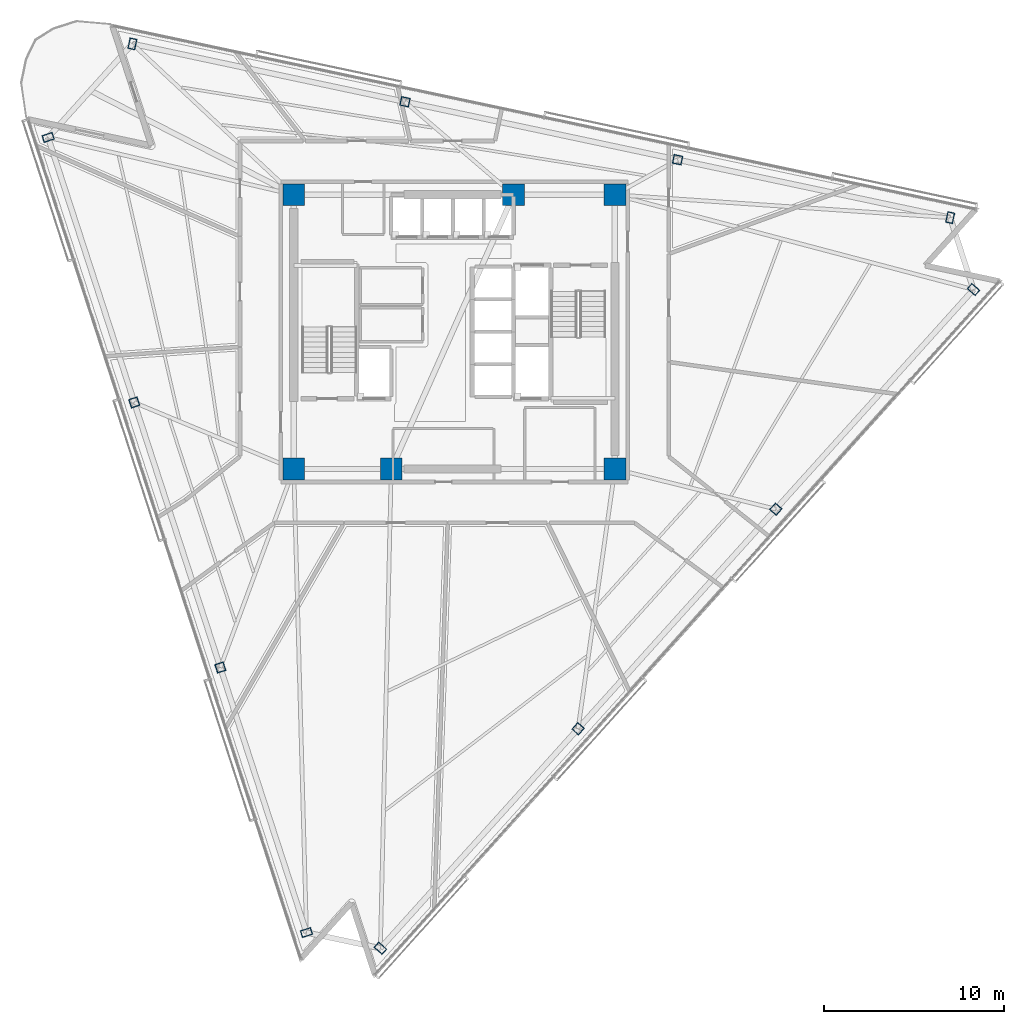
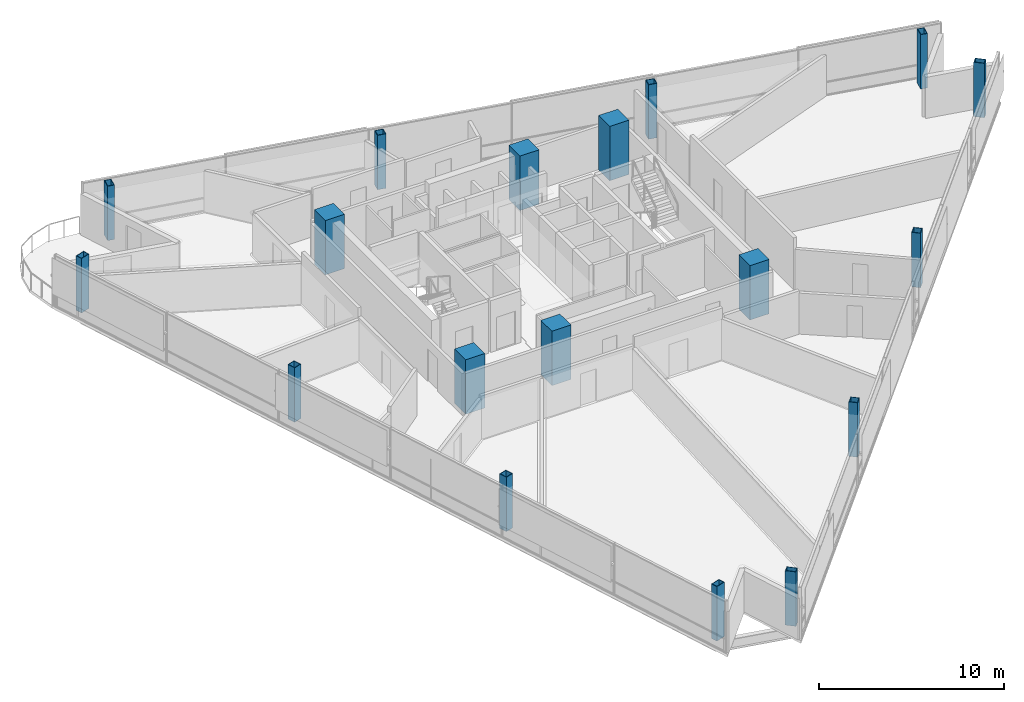
# One storey, part 1 of 17: 18 columns.
"""IFC4 building model written with IfcOpenShell, lengths in metres."""

from ifc_helpers import new_model, si_unit, direction, frame, origin, origin_2d, place, context, subcontext, project, spatial, rectangle, hollow_rectangle, extrude, material, material_profile, profile_set, type_object, element, save


model = new_model("IFC4")

# Units and contexts
model_context = context("Model", 3, precision=1e-05, world=origin(), true_north=direction((0.0, 1.0)))
body_context = subcontext(model_context, "Body", "Model", "MODEL_VIEW")
ifc_project = project(units=[si_unit("LENGTHUNIT", "METRE"), si_unit("AREAUNIT", "SQUARE_METRE"), si_unit("VOLUMEUNIT", "CUBIC_METRE"), si_unit("PLANEANGLEUNIT", "RADIAN"), si_unit("MASSUNIT", "GRAM", prefix="KILO")], contexts=[model_context])

# Site, building, storey
site_placement = place(None, origin())
site = spatial("IfcSite", under=ifc_project, at=site_placement, CompositionType="ELEMENT")
building_placement = place(site_placement, origin())
building = spatial("IfcBuilding", under=site, at=building_placement, Name="Tharavind Bronze Gate", CompositionType="ELEMENT")
storey_placement = place(building_placement, frame((0.0, 0.0, 214.85009765625)))
storey = spatial("IfcBuildingStorey", under=building, at=storey_placement, Name="L55", CompositionType="ELEMENT", Elevation=214.85009765625)

# Columns
ifc_material_1 = material(Name="Steel S460", Category="steel")
ifc_material_profile_1 = material_profile(ifc_material_1, hollow_rectangle(XDim=0.39990234375, YDim=0.60009765625, WallThickness=0.030029296875, at=origin_2d()), Name="RHS600X400X30")
ifc_profile_set_1 = profile_set([ifc_material_profile_1], Name="Steel S460")
column_type_1 = type_object("IfcColumnType", Name="CORNER NOTCH COLUMN RHS600X400", PredefinedType="COLUMN", material=ifc_profile_set_1)
for number, where, z_axis, x_axis, name in (
    (1, (-22.515380859375, 10.77685546875, 0.0), (0.0, 0.0, 1.0), (-0.309016994375, 0.951056516295, 0.0), "L55 perimeter column S1C1"),
    (2, (-8.197021484375, -33.29150390625, 0.0), (0.0, 0.0, 1.0), (-0.309016994375, 0.951056516295, 0.0), "L55 perimeter column S1C4"),
    (3, (-4.100341796875, -34.162353515625, 0.0), (0.0, 0.0, 1.0), (0.669130606359, 0.743144825477, 0.0), "L55 perimeter column S2C1"),
    (4, (28.772705078125, 2.34716796875, 0.0), (0.0, 0.0, 1.0), (0.669130606359, 0.743144825477, 0.0), "L55 perimeter column S2C4"),
    (5, (27.478515625, 6.330078125, 0.0), (0.0, 0.0, 1.0), (-0.978147600734, 0.207911690818, 0.0), "L55 perimeter column S3C1"),
    (6, (-17.844970703125, 15.9638671875, 0.0), (0.0, 0.0, 1.0), (-0.978147600734, 0.207911690818, 0.0), "L55 perimeter column S3C4"),
):
    element("IfcColumn", number, at=place(storey_placement, frame(where, z_axis=z_axis, x_axis=x_axis)), inside=storey, type_object=column_type_1, Name=name, PredefinedType="COLUMN", context=body_context, shape_type="SweptSolid", body=[
        extrude(hollow_rectangle(XDim=0.39990234375, YDim=0.60009765625, WallThickness=0.030029296875, at=origin_2d()), origin(), (0.0, 0.0, 1.0), 3.599853515625),
    ])
ifc_material_2 = material(Name="Concrete C60/75", Category="concrete")
ifc_material_profile_2 = material_profile(ifc_material_2, rectangle(XDim=1.199951171875, YDim=1.199951171875, at=origin_2d()), Name="RCCOL1200")
ifc_profile_set_2 = profile_set([ifc_material_profile_2], Name="Concrete C60/75")
column_type_2 = type_object("IfcColumnType", Name="MEGA CORE COLUMN 1200", PredefinedType="COLUMN", material=ifc_profile_set_2)
for number, where, z_axis, x_axis, name in (
    (7, (-8.89990234375, -7.60009765625, 0.0), (0.0, 0.0, 1.0), (1.0, 0.0, 0.0), "L55 core mega column MC1"),
    (8, (-3.5, -7.60009765625, 0.0), (0.0, 0.0, 1.0), (1.0, 0.0, 0.0), "L55 core mega column MC2"),
    (9, (8.89990234375, -7.60009765625, 0.0), (0.0, 0.0, 1.0), (1.0, 0.0, 0.0), "L55 core mega column MC3"),
    (10, (8.89990234375, 7.60009765625, 0.0), (0.0, 0.0, 1.0), (1.0, 0.0, 0.0), "L55 core mega column MC4"),
    (11, (3.280029296875, 7.60009765625, 0.0), (0.0, 0.0, 1.0), (1.0, 0.0, 0.0), "L55 core mega column MC5"),
    (12, (-8.89990234375, 7.60009765625, 0.0), (0.0, 0.0, 1.0), (1.0, 0.0, 0.0), "L55 core mega column MC6"),
):
    element("IfcColumn", number, at=place(storey_placement, frame(where, z_axis=z_axis, x_axis=x_axis)), inside=storey, type_object=column_type_2, Name=name, PredefinedType="COLUMN", context=body_context, shape_type="SweptSolid", body=[
        extrude(rectangle(XDim=1.199951171875, YDim=1.199951171875, at=origin_2d()), origin(), (0.0, 0.0, 1.0), 3.599853515625),
    ])
ifc_material_profile_3 = material_profile(ifc_material_1, hollow_rectangle(XDim=0.5, YDim=0.5, WallThickness=0.031982421875, at=origin_2d()), Name="SHS500X32")
ifc_profile_set_3 = profile_set([ifc_material_profile_3], Name="Steel S460")
column_type_3 = type_object("IfcColumnType", Name="PERIMETER BOX COLUMN SHS500", PredefinedType="COLUMN", material=ifc_profile_set_3)
for number, where, z_axis, x_axis, name in (
    (13, (-17.74267578125, -3.91259765625, 0.0), (0.0, 0.0, 1.0), (-0.309016994375, 0.951056516295, 0.0), "L55 perimeter column S1C2"),
    (14, (-12.9697265625, -18.60205078125, 0.0), (0.0, 0.0, 1.0), (-0.309016994375, 0.951056516295, 0.0), "L55 perimeter column S1C3"),
    (15, (6.857421875, -21.992431640625, 0.0), (0.0, 0.0, 1.0), (0.669130606359, 0.743144825477, 0.0), "L55 perimeter column S2C2"),
    (16, (17.815185546875, -9.82275390625, 0.0), (0.0, 0.0, 1.0), (0.669130606359, 0.743144825477, 0.0), "L55 perimeter column S2C3"),
    (17, (12.370849609375, 9.54150390625, 0.0), (0.0, 0.0, 1.0), (-0.978147600734, 0.207911690818, 0.0), "L55 perimeter column S3C2"),
    (18, (-2.737060546875, 12.752685546875, 0.0), (0.0, 0.0, 1.0), (-0.978147600734, 0.207911690818, 0.0), "L55 perimeter column S3C3"),
):
    element("IfcColumn", number, at=place(storey_placement, frame(where, z_axis=z_axis, x_axis=x_axis)), inside=storey, type_object=column_type_3, Name=name, PredefinedType="COLUMN", context=body_context, shape_type="SweptSolid", body=[
        extrude(hollow_rectangle(XDim=0.5, YDim=0.5, WallThickness=0.031982421875, at=origin_2d()), origin(), (0.0, 0.0, 1.0), 3.599853515625),
    ])

save(model, "model.ifc")
